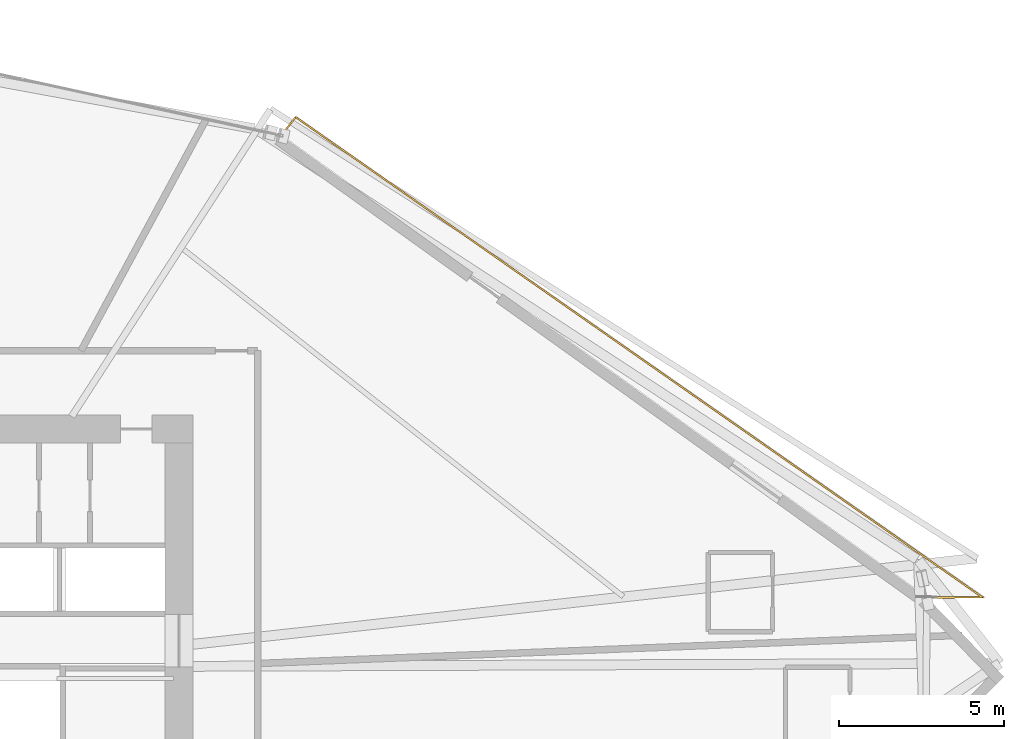
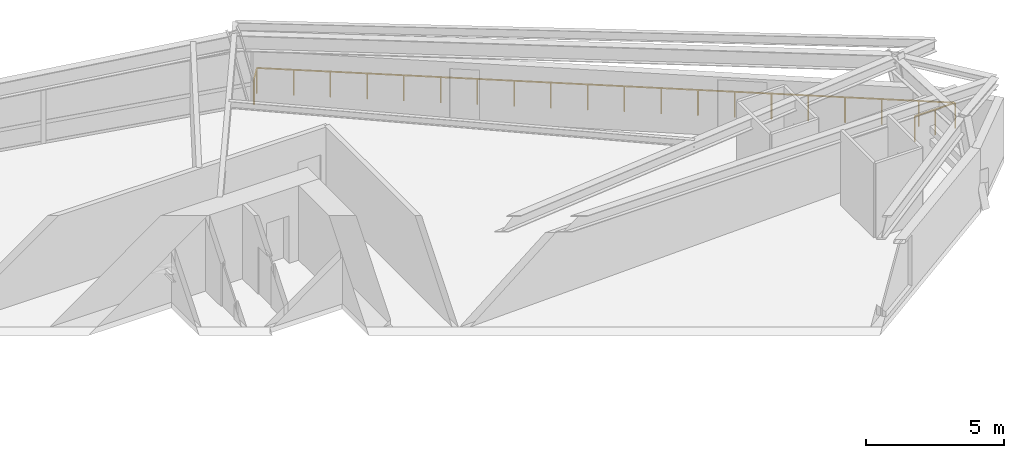
# One storey, part 21 of 21: 1 railing.
"""IFC4 building model written with IfcOpenShell, lengths in metres."""

from ifc_helpers import new_model, si_unit, direction, frame, origin, origin_2d, place, context, subcontext, project, spatial, rectangle, extrude, material, type_object, element, save


model = new_model("IFC4")

# Units and contexts
model_context = context("Model", 3, precision=1e-05, world=origin(), true_north=direction((0.0, 1.0)))
body_context = subcontext(model_context, "Body", "Model", "MODEL_VIEW")
ifc_project = project(units=[si_unit("LENGTHUNIT", "METRE"), si_unit("AREAUNIT", "SQUARE_METRE"), si_unit("VOLUMEUNIT", "CUBIC_METRE"), si_unit("PLANEANGLEUNIT", "RADIAN"), si_unit("MASSUNIT", "GRAM", prefix="KILO")], contexts=[model_context])

# Site, building, storey
site_placement = place(None, origin())
site = spatial("IfcSite", under=ifc_project, at=site_placement, CompositionType="ELEMENT")
building_placement = place(site_placement, origin())
building = spatial("IfcBuilding", under=site, at=building_placement, Name="Olszyna Solenne Hotel", CompositionType="ELEMENT")
storey_placement = place(building_placement, frame((0.0, 0.0, 39.949951171875)))
storey = spatial("IfcBuildingStorey", under=building, at=storey_placement, Name="L09", CompositionType="ELEMENT", Elevation=39.949951171875)

# Railing
ifc_material = material(Name="Anodised bronze aluminium", Category="aluminium")
railing_type = type_object("IfcRailingType", Name="GR-110", PredefinedType="BALUSTRADE", material=ifc_material)
railing_placement = place(storey_placement, frame((68.955078125, 29.029541015625, 0.0)))
element("IfcRailing", 1, at=railing_placement, inside=storey, type_object=railing_type, Name="Loggia balcony balustrade guard GR-L09-LG1", PredefinedType="BALUSTRADE", context=body_context, shape_type="SweptSolid", body=[
    extrude(rectangle(XDim=0.048095703125, YDim=0.048095703125, at=origin_2d()), frame((0.0, 0.0, 1.1259765625), z_axis=(0.999999906299, 0.000432900392, 0.0), x_axis=(-0.000432900392, 0.999999906299, 0.0)), (0.0, 0.0, 1.0), 1.69189453125),
    extrude(rectangle(XDim=0.048095703125, YDim=0.048095703125, at=origin_2d()), frame((1.69189453125, 0.000732421875, 1.1259765625), z_axis=(-0.819515216408, 0.573057423018, 0.0), x_axis=(-0.573057423018, -0.819515216408, 0.0)), (0.0, 0.0, 1.0), 25.376220703125),
    extrude(rectangle(XDim=0.048095703125, YDim=0.048095703125, at=origin_2d()), frame((-19.104248046875, 14.542724609375, 1.1259765625), z_axis=(-0.618885097736, -0.785481531164, 0.0), x_axis=(0.785481531164, -0.618885097736, 0.0)), (0.0, 0.0, 1.0), 0.709228515625),
    extrude(rectangle(XDim=0.0419921875, YDim=0.0419921875, at=origin_2d()), origin(), (0.0, 0.0, 1.0), 1.101806640625),
    extrude(rectangle(XDim=0.0419921875, YDim=0.0419921875, at=origin_2d()), frame((0.845947265625, 0.00048828125, 0.0)), (0.0, 0.0, 1.0), 1.101806640625),
    extrude(rectangle(XDim=0.0419921875, YDim=0.0419921875, at=origin_2d()), frame((1.69189453125, 0.000732421875, 0.0)), (0.0, 0.0, 1.0), 1.101806640625),
    extrude(rectangle(XDim=0.0419921875, YDim=0.0419921875, at=origin_2d()), frame((0.597412109375, 0.76611328125, 0.0)), (0.0, 0.0, 1.0), 1.101806640625),
    extrude(rectangle(XDim=0.0419921875, YDim=0.0419921875, at=origin_2d()), frame((-0.4970703125, 1.531494140625, 0.0)), (0.0, 0.0, 1.0), 1.101806640625),
    extrude(rectangle(XDim=0.0419921875, YDim=0.0419921875, at=origin_2d()), frame((-1.591796875, 2.296875, 0.0)), (0.0, 0.0, 1.0), 1.101806640625),
    extrude(rectangle(XDim=0.0419921875, YDim=0.0419921875, at=origin_2d()), frame((-2.686279296875, 3.062255859375, 0.0)), (0.0, 0.0, 1.0), 1.101806640625),
    extrude(rectangle(XDim=0.0419921875, YDim=0.0419921875, at=origin_2d()), frame((-3.78076171875, 3.82763671875, 0.0)), (0.0, 0.0, 1.0), 1.101806640625),
    extrude(rectangle(XDim=0.0419921875, YDim=0.0419921875, at=origin_2d()), frame((-4.875244140625, 4.593017578125, 0.0)), (0.0, 0.0, 1.0), 1.101806640625),
    extrude(rectangle(XDim=0.0419921875, YDim=0.0419921875, at=origin_2d()), frame((-5.9697265625, 5.3583984375, 0.0)), (0.0, 0.0, 1.0), 1.101806640625),
    extrude(rectangle(XDim=0.0419921875, YDim=0.0419921875, at=origin_2d()), frame((-7.064453125, 6.123779296875, 0.0)), (0.0, 0.0, 1.0), 1.101806640625),
    extrude(rectangle(XDim=0.0419921875, YDim=0.0419921875, at=origin_2d()), frame((-8.158935546875, 6.88916015625, 0.0)), (0.0, 0.0, 1.0), 1.101806640625),
    extrude(rectangle(XDim=0.0419921875, YDim=0.0419921875, at=origin_2d()), frame((-9.25341796875, 7.654296875, 0.0)), (0.0, 0.0, 1.0), 1.101806640625),
    extrude(rectangle(XDim=0.0419921875, YDim=0.0419921875, at=origin_2d()), frame((-10.347900390625, 8.419677734375, 0.0)), (0.0, 0.0, 1.0), 1.101806640625),
    extrude(rectangle(XDim=0.0419921875, YDim=0.0419921875, at=origin_2d()), frame((-11.442626953125, 9.18505859375, 0.0)), (0.0, 0.0, 1.0), 1.101806640625),
    extrude(rectangle(XDim=0.0419921875, YDim=0.0419921875, at=origin_2d()), frame((-12.537109375, 9.950439453125, 0.0)), (0.0, 0.0, 1.0), 1.101806640625),
    extrude(rectangle(XDim=0.0419921875, YDim=0.0419921875, at=origin_2d()), frame((-13.631591796875, 10.7158203125, 0.0)), (0.0, 0.0, 1.0), 1.101806640625),
    extrude(rectangle(XDim=0.0419921875, YDim=0.0419921875, at=origin_2d()), frame((-14.72607421875, 11.481201171875, 0.0)), (0.0, 0.0, 1.0), 1.101806640625),
    extrude(rectangle(XDim=0.0419921875, YDim=0.0419921875, at=origin_2d()), frame((-15.820556640625, 12.24658203125, 0.0)), (0.0, 0.0, 1.0), 1.101806640625),
    extrude(rectangle(XDim=0.0419921875, YDim=0.0419921875, at=origin_2d()), frame((-16.915283203125, 13.011962890625, 0.0)), (0.0, 0.0, 1.0), 1.101806640625),
    extrude(rectangle(XDim=0.0419921875, YDim=0.0419921875, at=origin_2d()), frame((-18.009765625, 13.77734375, 0.0)), (0.0, 0.0, 1.0), 1.101806640625),
    extrude(rectangle(XDim=0.0419921875, YDim=0.0419921875, at=origin_2d()), frame((-19.104248046875, 14.542724609375, 0.0)), (0.0, 0.0, 1.0), 1.101806640625),
    extrude(rectangle(XDim=0.0419921875, YDim=0.0419921875, at=origin_2d()), frame((-19.543212890625, 13.985595703125, 0.0)), (0.0, 0.0, 1.0), 1.101806640625),
])

save(model, "model.ifc")
